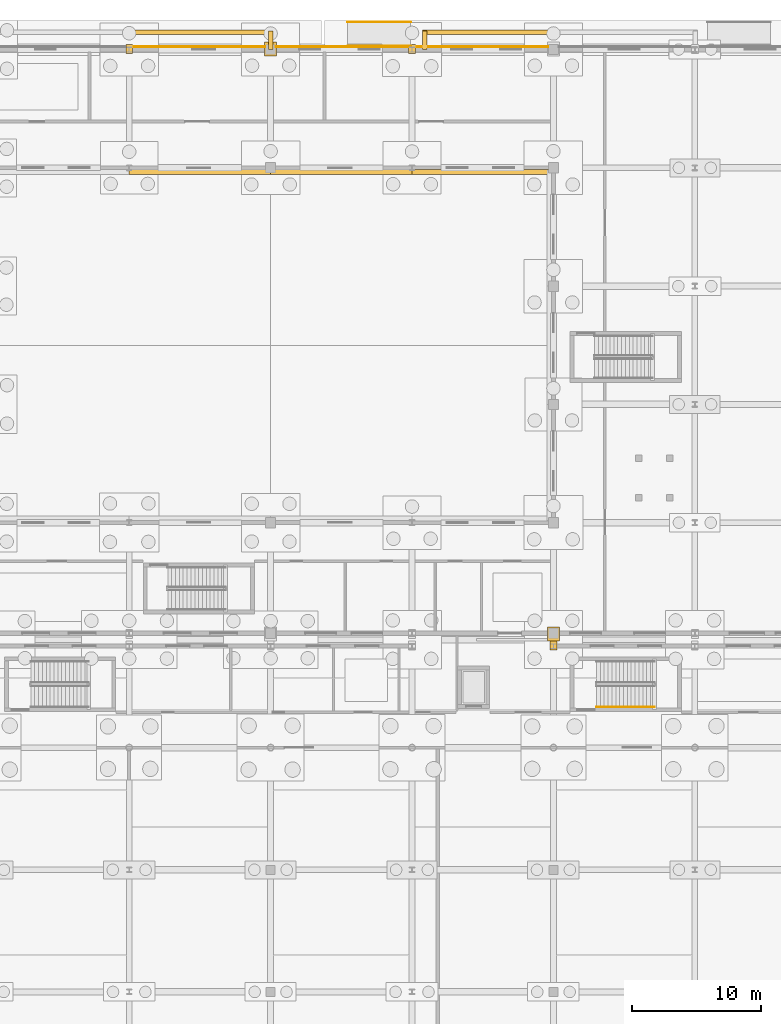
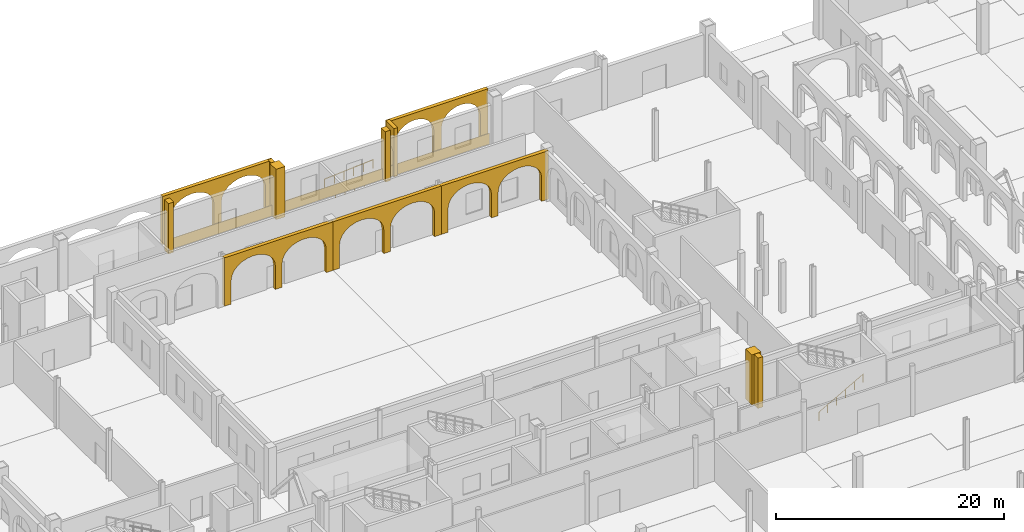
# One storey, part 72 of 83: 15 coverings, 3 railings.
"""IFC4 building model written with IfcOpenShell, lengths in metres."""

import ifcopenshell
import ifcopenshell.guid

model = None  # the IFC model being written
_history = None  # IfcOwnerHistory: only IFC2X3 demands one
_inside = {}  # id of a spatial element -> (the spatial element, [elements in it])
_under = {}  # id of a project, library or spatial element -> (it, [spatial elements below it])
_declared = {}  # id of a project -> (the project, [libraries it declares])
_typed = {}  # id of a type object -> (the type object, [elements of that type])
_made_of = {}  # id of a material, layer set ... -> (it, [elements and type objects made of it])


def new_model(schema):
    """Start an empty IFC model of exactly this schema.

    Asked for "IFC4X3", IfcOpenShell would pick the latest addendum, in which some entities
    have other attributes; the version numbers below select the first issue.
    IFC2X3 requires an IfcOwnerHistory on every rooted entity: one is made here for all.
    """
    global model, _history
    if schema == "IFC4X3":
        model = ifcopenshell.file(schema_version=(4, 3, 0, 0))
    else:
        model = ifcopenshell.file(schema=schema)
    _inside.clear()
    _under.clear()
    _declared.clear()
    _typed.clear()
    _made_of.clear()
    _history = None
    if model.schema == "IFC2X3":
        org = make("IfcOrganization", Name="unknown")
        user = make(
            "IfcPersonAndOrganization",
            ThePerson=make("IfcPerson", FamilyName="unknown"),
            TheOrganization=org,
        )
        app = make(
            "IfcApplication",
            ApplicationDeveloper=org,
            Version="unknown",
            ApplicationFullName="unknown",
            ApplicationIdentifier="unknown",
        )
        _history = make(
            "IfcOwnerHistory",
            OwningUser=user,
            OwningApplication=app,
            ChangeAction="ADDED",
            CreationDate=0,
        )
    return model


def make(cls, **values):
    """One entity of the class cls with the attributes given. An attribute that is None is left unset."""
    return model.create_entity(
        cls, **{name: value for name, value in values.items() if value is not None}
    )


def rooted(cls, **values):
    """An entity with a GlobalId (a new one), such as an element, a storey or a relation."""
    return make(cls, GlobalId=ifcopenshell.guid.new(), OwnerHistory=_history, **values)


def si_unit(unit_type, name, prefix=None):
    """IfcSIUnit, for example si_unit("LENGTHUNIT", "METRE", prefix="MILLI")."""
    return make("IfcSIUnit", UnitType=unit_type, Prefix=prefix, Name=name)


def assignment(units):
    """IfcUnitAssignment: the units of a project."""
    return None if units is None else make("IfcUnitAssignment", Units=units)


def point(xyz):
    """IfcCartesianPoint."""
    return None if xyz is None else make("IfcCartesianPoint", Coordinates=xyz)


def direction(xyz):
    """IfcDirection."""
    return None if xyz is None else make("IfcDirection", DirectionRatios=xyz)


def frame(location, z_axis=None, x_axis=None):
    """IfcAxis2Placement3D, a coordinate frame: its origin and axes. An axis left out is left unset."""
    return make(
        "IfcAxis2Placement3D",
        Location=point(location),
        Axis=direction(z_axis),
        RefDirection=direction(x_axis),
    )


def frame_2d(location, x_axis=None):
    """IfcAxis2Placement2D, a coordinate frame in the plane: its origin and x axis."""
    return make(
        "IfcAxis2Placement2D", Location=point(location), RefDirection=direction(x_axis)
    )


def origin():
    """The frame at (0, 0, 0) with its axes left unset."""
    return frame((0.0, 0.0, 0.0))


def origin_2d():
    """The frame at (0, 0) in the plane with its x axis left unset."""
    return frame_2d((0.0, 0.0))


def place(relative_to, where):
    """IfcLocalPlacement: puts the frame where relative to a parent placement (None: the world)."""
    return make(
        "IfcLocalPlacement", PlacementRelTo=relative_to, RelativePlacement=where
    )


def context(
    kind, dimensions, precision=None, world=None, true_north=None, identifier=None
):
    """IfcGeometricRepresentationContext, for example the 3D "Model" context."""
    return make(
        "IfcGeometricRepresentationContext",
        ContextIdentifier=identifier,
        ContextType=kind,
        CoordinateSpaceDimension=dimensions,
        Precision=precision,
        WorldCoordinateSystem=world,
        TrueNorth=true_north,
    )


def subcontext(parent, identifier, kind, view, scale=None):
    """IfcGeometricRepresentationSubContext, for example "Body" below "Model"."""
    return make(
        "IfcGeometricRepresentationSubContext",
        ContextIdentifier=identifier,
        ContextType=kind,
        ParentContext=parent,
        TargetScale=scale,
        TargetView=view,
    )


def project(units=None, contexts=None):
    """IfcProject with its units and contexts."""
    return rooted(
        "IfcProject",
        Name="project",
        RepresentationContexts=contexts,
        UnitsInContext=assignment(units),
    )


def spatial(cls, under=None, at=None, **own):
    """A site, building, storey or space (cls), placed at a placement, below another one or the project."""
    s = rooted(cls, ObjectPlacement=at, **own)
    if under is not None:
        _under.setdefault(under.id(), (under, []))[1].append(s)
    return s


def polyline(points):
    """IfcPolyline through the points."""
    return make("IfcPolyline", Points=[point(p) for p in points])


def profile(cls, at=None, kind="AREA", **sizes):
    """A parametric profile (cls). Its sizes go by their IFC names, for example OverallWidth=200.0."""
    return make(cls, ProfileType=kind, Position=at, **sizes)


def rectangle(**sizes):
    """IfcRectangleProfileDef."""
    return profile("IfcRectangleProfileDef", **sizes)


def circle(**sizes):
    """IfcCircleProfileDef."""
    return profile("IfcCircleProfileDef", **sizes)


def outline(outer, holes=None, kind="AREA"):
    """IfcArbitraryClosedProfileDef: a profile drawn as a closed curve; with holes, ...WithVoids."""
    if holes is None:
        return make("IfcArbitraryClosedProfileDef", ProfileType=kind, OuterCurve=outer)
    return make(
        "IfcArbitraryProfileDefWithVoids",
        ProfileType=kind,
        OuterCurve=outer,
        InnerCurves=holes,
    )


def extrude(swept, where, along, depth):
    """IfcExtrudedAreaSolid: the profile swept, set in the frame where, extruded along a direction by depth."""
    return make(
        "IfcExtrudedAreaSolid",
        SweptArea=swept,
        Position=where,
        ExtrudedDirection=direction(along),
        Depth=depth,
    )


def shape(context_of_items, identifier, shape_type, items):
    """IfcShapeRepresentation: the items that make up one representation, for example the "Body"."""
    return make(
        "IfcShapeRepresentation",
        ContextOfItems=context_of_items,
        RepresentationIdentifier=identifier,
        RepresentationType=shape_type,
        Items=items,
    )


def material(Name=None, Category=None):
    """IfcMaterial."""
    return make("IfcMaterial", Name=Name, Category=Category)


def layer(
    of_material, thickness, ventilated=None, Name=None, Category=None, Priority=None
):
    """IfcMaterialLayer: one layer of a wall or slab, of a material (None: an air gap)."""
    return make(
        "IfcMaterialLayer",
        Material=of_material,
        LayerThickness=thickness,
        IsVentilated=ventilated,
        Name=Name,
        Category=Category,
        Priority=Priority,
    )


def layer_set(layers, Name=None):
    """IfcMaterialLayerSet."""
    return make("IfcMaterialLayerSet", MaterialLayers=layers, LayerSetName=Name)


def made_of(thing, what):
    """Note that an element or type object is made of a material, layer set ...; save() writes the relation."""
    if what is not None:
        _made_of.setdefault(what.id(), (what, []))[1].append(thing)
    return thing


def type_object(cls, material=None, **own):
    """A type object (cls), such as IfcWallType, which elements share."""
    return made_of(rooted(cls, **own), material)


def element(
    cls,
    number,
    at=None,
    inside=None,
    cuts=None,
    type_object=None,
    material=None,
    context=None,
    identifier="Body",
    shape_type=None,
    held_by="IfcProductDefinitionShape",
    body=None,
    shapes=None,
    **own,
):
    """One element of the class cls, such as IfcWall. Its Tag is "e" and its number.

    at: its placement. inside: the storey or other place that contains it. cuts: it is an
    opening in that element (IfcRelVoidsElement). A single representation is given by context,
    identifier, shape_type and body (its items); several are given by shapes. held_by: the class
    of the entity that holds the representations. save() writes the other relations.
    """
    e = rooted(cls, Tag="e%d" % number, ObjectPlacement=at, **own)
    if body is not None:
        shapes = [shape(context, identifier, shape_type, body)]
    if shapes is not None:
        e.Representation = make(held_by, Representations=shapes)
    if inside is not None:
        _inside.setdefault(inside.id(), (inside, []))[1].append(e)
    if cuts is not None:
        rooted(
            "IfcRelVoidsElement", RelatingBuildingElement=cuts, RelatedOpeningElement=e
        )
    if type_object is not None:
        _typed.setdefault(type_object.id(), (type_object, []))[1].append(e)
    return made_of(e, material)


def aggregate(whole, parts):
    """IfcRelAggregates: a whole, such as a stair, and the parts it consists of."""
    return rooted("IfcRelAggregates", RelatingObject=whole, RelatedObjects=parts)


def save(model, path):
    """Write the relations noted so far, then the file.

    IfcRelAggregates (storeys below a building ...), IfcRelContainedInSpatialStructure (elements
    in a storey), IfcRelDefinesByType, IfcRelAssociatesMaterial and IfcRelDeclares: one each for
    every whole, place, type object, material and project.
    """
    for whole, parts in _under.values():
        aggregate(whole, parts)
    for where, things in _inside.values():
        rooted(
            "IfcRelContainedInSpatialStructure",
            RelatedElements=things,
            RelatingStructure=where,
        )
    for kind, things in _typed.values():
        rooted("IfcRelDefinesByType", RelatedObjects=things, RelatingType=kind)
    for what, things in _made_of.values():
        rooted("IfcRelAssociatesMaterial", RelatedObjects=things, RelatingMaterial=what)
    for by, libraries in _declared.values():
        rooted("IfcRelDeclares", RelatingContext=by, RelatedDefinitions=libraries)
    model.write(path)


model = new_model("IFC4")

# Units and contexts
model_context = context("Model", 3, precision=1e-05, world=origin(), true_north=direction((0.0, 1.0)))
body_context = subcontext(model_context, "Body", "Model", "MODEL_VIEW")
ifc_project = project(units=[si_unit("LENGTHUNIT", "METRE"), si_unit("AREAUNIT", "SQUARE_METRE"), si_unit("VOLUMEUNIT", "CUBIC_METRE"), si_unit("PLANEANGLEUNIT", "RADIAN"), si_unit("MASSUNIT", "GRAM", prefix="KILO")], contexts=[model_context])

# Site, building, storey
site_placement = place(None, origin())
site = spatial("IfcSite", under=ifc_project, at=site_placement, CompositionType="ELEMENT")
building_placement = place(site_placement, origin())
building = spatial("IfcBuilding", under=site, at=building_placement, Name="Caurita Quay Ferry Terminal", CompositionType="ELEMENT")
storey_placement = place(building_placement, origin())
storey = spatial("IfcBuildingStorey", under=building, at=storey_placement, Name="L00", CompositionType="ELEMENT", Elevation=0.0)

# Coverings
ifc_material_1 = material(Name="Warm-white lime stucco masonry", Category="masonry")
ifc_layer_1 = layer(ifc_material_1, 0.360107421875, Name="Spanish Colonial semicircular lime-stucco portales arcade 360 mm")
ifc_layer_set_1 = layer_set([ifc_layer_1], Name="Warm-white lime stucco masonry")
covering_type_1 = type_object("IfcCoveringType", Name="COV-ARC-CLD", PredefinedType="CLADDING", material=ifc_layer_set_1)
covering_1_placement = place(storey_placement, frame((44.199951171875, 118.35009765625, 0.0), z_axis=(0.0, 0.0, 1.0), x_axis=(-1.0, 0.0, 0.0)))
element("IfcCovering", 1, at=covering_1_placement, inside=storey, type_object=covering_type_1, Name="North Street Portales Colonnade 004", PredefinedType="CLADDING", context=body_context, shape_type="SweptSolid", body=[
    extrude(outline(polyline([(0.0, 0.0), (0.75, 0.0), (0.75, 2.550048828125), (0.826171875, 3.041748046875), (1.0498046875, 3.5), (1.4052734375, 3.8935546875), (1.86865234375, 4.195556640625), (2.408447265625, 4.38525390625), (2.987548828125, 4.449951171875), (3.566650390625, 4.38525390625), (4.106201171875, 4.195556640625), (4.569580078125, 3.8935546875), (4.92529296875, 3.5), (5.148681640625, 3.041748046875), (5.22509765625, 2.550048828125), (5.22509765625, 0.0), (5.97509765625, 0.0), (5.97509765625, 2.550048828125), (6.05126953125, 3.041748046875), (6.274658203125, 3.5), (6.63037109375, 3.8935546875), (7.09375, 4.195556640625), (7.63330078125, 4.38525390625), (8.21240234375, 4.449951171875), (8.79150390625, 4.38525390625), (9.331298828125, 4.195556640625), (9.794677734375, 3.8935546875), (10.150146484375, 3.5), (10.373779296875, 3.041748046875), (10.449951171875, 2.550048828125), (10.449951171875, 0.0), (11.199951171875, 0.0), (11.199951171875, 5.179931640625), (0.0, 5.179931640625), (0.0, 0.0)])), frame((0.0, 0.18017578125, 0.0), z_axis=(0.0, -1.0, 0.0), x_axis=(1.0, 0.0, 0.0)), (0.0, 0.0, 1.0), 0.360107421875),
])
covering_2_placement = place(storey_placement, frame((66.0, 118.35009765625, 0.0), z_axis=(0.0, 0.0, 1.0), x_axis=(-1.0, 0.0, 0.0)))
element("IfcCovering", 2, at=covering_2_placement, inside=storey, type_object=covering_type_1, Name="North Street Portales Colonnade 005", PredefinedType="CLADDING", context=body_context, shape_type="SweptSolid", body=[
    extrude(outline(polyline([(0.0, 0.0), (0.75, 0.0), (0.75, 2.550048828125), (0.817626953125, 3.041748046875), (1.016357421875, 3.5), (1.33203125, 3.8935546875), (1.74365234375, 4.195556640625), (2.22314453125, 4.38525390625), (2.737548828125, 4.449951171875), (3.251953125, 4.38525390625), (3.731201171875, 4.195556640625), (4.142822265625, 3.8935546875), (4.458740234375, 3.5), (4.6572265625, 3.041748046875), (4.72509765625, 2.550048828125), (4.72509765625, 0.0), (5.47509765625, 0.0), (5.47509765625, 2.550048828125), (5.542724609375, 3.041748046875), (5.7412109375, 3.5), (6.05712890625, 3.8935546875), (6.46875, 4.195556640625), (6.947998046875, 4.38525390625), (7.46240234375, 4.449951171875), (7.976806640625, 4.38525390625), (8.456298828125, 4.195556640625), (8.867919921875, 3.8935546875), (9.18359375, 3.5), (9.38232421875, 3.041748046875), (9.449951171875, 2.550048828125), (9.449951171875, 0.0), (10.199951171875, 0.0), (10.199951171875, 5.179931640625), (0.0, 5.179931640625), (0.0, 0.0)])), frame((0.0, 0.18017578125, 0.0), z_axis=(0.0, -1.0, 0.0), x_axis=(1.0, 0.0, 0.0)), (0.0, 0.0, 1.0), 0.360107421875),
])
for number, where, z_axis, x_axis, name in (
    (3, (44.02001953125, 117.0, 0.0), (0.0, 0.0, 1.0), (0.0, 1.0, 0.0), "North Portales End Arch 008"),
    (4, (55.97998046875, 117.0, 0.0), (0.0, 0.0, 1.0), (0.0, 1.0, 0.0), "North Portales End Arch 009"),
):
    element("IfcCovering", number, at=place(storey_placement, frame(where, z_axis=z_axis, x_axis=x_axis)), inside=storey, type_object=covering_type_1, Name=name, PredefinedType="CLADDING", context=body_context, shape_type="SweptSolid", body=[
        extrude(outline(polyline([(0.0, 0.0), (0.219970703125, 0.0), (0.219970703125, 2.550048828125), (0.2373046875, 2.66650390625), (0.28759765625, 2.77490234375), (0.367919921875, 2.8681640625), (0.472412109375, 2.939697265625), (0.59423828125, 2.984619140625), (0.72509765625, 3.0), (0.855712890625, 2.984619140625), (0.9775390625, 2.939697265625), (1.08203125, 2.8681640625), (1.162353515625, 2.77490234375), (1.212646484375, 2.66650390625), (1.22998046875, 2.550048828125), (1.22998046875, 0.0), (1.449951171875, 0.0), (1.449951171875, 5.179931640625), (0.0, 5.179931640625), (0.0, 0.0)])), frame((0.0, 0.18017578125, 0.0), z_axis=(0.0, -1.0, 0.0), x_axis=(1.0, 0.0, 0.0)), (0.0, 0.0, 1.0), 0.360107421875),
    ])
for number, where, z_axis, x_axis, name in (
    (5, (44.0, 107.47998046875, 0.0), (0.0, 0.0, 1.0), (-1.0, 0.0, 0.0), "L00 Courtyard North Cloister Arcade 042"),
    (6, (55.0, 107.47998046875, 0.0), (0.0, 0.0, 1.0), (-1.0, 0.0, 0.0), "L00 Courtyard North Cloister Arcade 044"),
):
    element("IfcCovering", number, at=place(storey_placement, frame(where, z_axis=z_axis, x_axis=x_axis)), inside=storey, type_object=covering_type_1, Name=name, PredefinedType="CLADDING", context=body_context, shape_type="SweptSolid", body=[
        extrude(outline(polyline([(0.0, 0.0), (0.679931640625, 0.0), (0.679931640625, 2.550048828125), (0.75634765625, 3.02880859375), (0.980224609375, 3.47509765625), (1.336181640625, 3.858154296875), (1.800048828125, 4.152099609375), (2.34033203125, 4.3369140625), (2.919921875, 4.39990234375), (3.499755859375, 4.3369140625), (4.0400390625, 4.152099609375), (4.50390625, 3.858154296875), (4.85986328125, 3.47509765625), (5.083740234375, 3.02880859375), (5.159912109375, 2.550048828125), (5.159912109375, 0.0), (5.840087890625, 0.0), (5.840087890625, 2.550048828125), (5.916259765625, 3.02880859375), (6.14013671875, 3.47509765625), (6.49609375, 3.858154296875), (6.9599609375, 4.152099609375), (7.500244140625, 4.3369140625), (8.080078125, 4.39990234375), (8.65966796875, 4.3369140625), (9.199951171875, 4.152099609375), (9.663818359375, 3.858154296875), (10.019775390625, 3.47509765625), (10.24365234375, 3.02880859375), (10.320068359375, 2.550048828125), (10.320068359375, 0.0), (11.0, 0.0), (11.0, 5.199951171875), (0.0, 5.199951171875), (0.0, 0.0)])), frame((0.0, 0.18017578125, 0.0), z_axis=(0.0, -1.0, 0.0), x_axis=(1.0, 0.0, 0.0)), (0.0, 0.0, 1.0), 0.360107421875),
    ])
covering_3_placement = place(storey_placement, frame((65.85009765625, 107.47998046875, 0.0), z_axis=(0.0, 0.0, 1.0), x_axis=(-1.0, 0.0, 0.0)))
element("IfcCovering", 7, at=covering_3_placement, inside=storey, type_object=covering_type_1, Name="L00 Courtyard North Cloister Arcade 046", PredefinedType="CLADDING", context=body_context, shape_type="SweptSolid", body=[
    extrude(outline(polyline([(0.0, 0.0), (0.679931640625, 0.0), (0.679931640625, 2.550048828125), (0.755126953125, 3.02880859375), (0.97509765625, 3.47509765625), (1.3251953125, 3.858154296875), (1.78125, 4.152099609375), (2.3125, 4.3369140625), (2.882568359375, 4.39990234375), (3.45263671875, 4.3369140625), (3.98388671875, 4.152099609375), (4.43994140625, 3.858154296875), (4.7900390625, 3.47509765625), (5.010009765625, 3.02880859375), (5.0849609375, 2.550048828125), (5.0849609375, 0.0), (5.76513671875, 0.0), (5.76513671875, 2.550048828125), (5.840087890625, 3.02880859375), (6.06005859375, 3.47509765625), (6.41015625, 3.858154296875), (6.8662109375, 4.152099609375), (7.3974609375, 4.3369140625), (7.967529296875, 4.39990234375), (8.53759765625, 4.3369140625), (9.06884765625, 4.152099609375), (9.52490234375, 3.858154296875), (9.875, 3.47509765625), (10.094970703125, 3.02880859375), (10.170166015625, 2.550048828125), (10.170166015625, 0.0), (10.85009765625, 0.0), (10.85009765625, 5.199951171875), (0.0, 5.199951171875), (0.0, 0.0)])), frame((0.0, 0.18017578125, 0.0), z_axis=(0.0, -1.0, 0.0), x_axis=(1.0, 0.0, 0.0)), (0.0, 0.0, 1.0), 0.360107421875),
])
ifc_material_2 = material(Name="Coral stone ashlar cladding", Category="masonry")
ifc_layer_2 = layer(ifc_material_2, 0.054931640625, Name="Rusticated coral-stone basamento plinth cladding 55 mm")
ifc_layer_set_2 = layer_set([ifc_layer_2], Name="Coral stone ashlar cladding")
covering_type_2 = type_object("IfcCoveringType", Name="COV-CORAL-CLD", PredefinedType="CLADDING", material=ifc_layer_set_2)
for number, where, z_axis, x_axis, name in (
    (8, (43.60205078125, 117.215087890625, 0.0), (0.0, 0.0, 1.0), (-1.0, 0.0, 0.0), "Coral-Stone Basamento Cladding 004"),
    (9, (54.984130859375, 117.215087890625, 0.0), (0.0, 0.0, 1.0), (-1.0, 0.0, 0.0), "Coral-Stone Basamento Cladding 005"),
    (10, (65.60205078125, 117.215087890625, 0.0), (0.0, 0.0, 1.0), (-1.0, 0.0, 0.0), "Coral-Stone Basamento Cladding 006"),
):
    element("IfcCovering", number, at=place(storey_placement, frame(where, z_axis=z_axis, x_axis=x_axis)), inside=storey, type_object=covering_type_2, Name=name, PredefinedType="CLADDING", context=body_context, shape_type="SweptSolid", body=[
        extrude(rectangle(XDim=10.586181640625, YDim=0.054931640625, at=frame_2d((5.29296875, 0.0))), origin(), (0.0, 0.0, 1.0), 1.14990234375),
    ])
ifc_layer_3 = layer(ifc_material_1, 0.179931640625, Name="Classical engaged lime-stucco facade pilaster cladding 180 mm")
ifc_layer_set_3 = layer_set([ifc_layer_3], Name="Warm-white lime stucco masonry")
covering_type_3 = type_object("IfcCoveringType", Name="COV-PIL-CLD", PredefinedType="CLADDING", material=ifc_layer_set_3)
covering_4_placement = place(storey_placement, frame((66.0, 70.64990234375, 0.0), z_axis=(0.0, 0.0, 1.0), x_axis=(1.0, 0.0, 0.0)))
element("IfcCovering", 11, at=covering_4_placement, inside=storey, type_object=covering_type_3, Name="L00 Classical Engaged Pilaster 0058", PredefinedType="CLADDING", context=body_context, shape_type="SweptSolid", body=[
    extrude(rectangle(XDim=0.518798828125, YDim=0.673583984375, at=origin_2d()), origin(), (0.0, 0.0, 1.0), 5.39990234375),
])
covering_5_placement = place(storey_placement, frame((33.0, 117.050048828125, 0.0), z_axis=(0.0, 0.0, 1.0), x_axis=(1.0, 0.0, 0.0)))
element("IfcCovering", 12, at=covering_5_placement, inside=storey, type_object=covering_type_3, Name="L00 Classical Engaged Pilaster 0338", PredefinedType="CLADDING", context=body_context, shape_type="SweptSolid", body=[
    extrude(rectangle(XDim=0.531005859375, YDim=0.714111328125, at=origin_2d()), origin(), (0.0, 0.0, 1.0), 5.39990234375),
])
covering_6_placement = place(storey_placement, frame((44.0, 117.050048828125, 0.0), z_axis=(0.0, 0.0, 1.0), x_axis=(1.0, 0.0, 0.0)))
element("IfcCovering", 13, at=covering_6_placement, inside=storey, type_object=covering_type_3, Name="L00 Classical Engaged Pilaster 0352", PredefinedType="CLADDING", context=body_context, shape_type="SweptSolid", body=[
    extrude(rectangle(XDim=0.919921875, YDim=1.080078125, at=origin_2d()), origin(), (0.0, 0.0, 1.0), 5.39990234375),
])
covering_7_placement = place(storey_placement, frame((55.0, 117.050048828125, 0.0), z_axis=(0.0, 0.0, 1.0), x_axis=(1.0, 0.0, 0.0)))
element("IfcCovering", 14, at=covering_7_placement, inside=storey, type_object=covering_type_3, Name="L00 Classical Engaged Pilaster 0364", PredefinedType="CLADDING", context=body_context, shape_type="SweptSolid", body=[
    extrude(rectangle(XDim=0.531005859375, YDim=0.714111328125, at=origin_2d()), origin(), (0.0, 0.0, 1.0), 5.39990234375),
])
covering_8_placement = place(storey_placement, frame((66.0, 71.550048828125, 0.0), z_axis=(0.0, 0.0, 1.0), x_axis=(1.0, 0.0, 0.0)))
element("IfcCovering", 15, at=covering_8_placement, inside=storey, type_object=covering_type_3, Name="L00 Classical Engaged Pilaster 0368", PredefinedType="CLADDING", context=body_context, shape_type="SweptSolid", body=[
    extrude(rectangle(XDim=0.919921875, YDim=1.080078125, at=origin_2d()), origin(), (0.0, 0.0, 1.0), 5.39990234375),
])

# Railings
ifc_material_3 = material(Name="Bronze architectural metalwork", Category="metal")
railing_type = type_object("IfcRailingType", Name="RL-HND-090", PredefinedType="HANDRAIL", material=ifc_material_3)
railing_placement = place(storey_placement, frame((69.35009765625, 65.85009765625, 0.168701171875)))
element("IfcRailing", 16, at=railing_placement, inside=storey, type_object=railing_type, Name="L00 ST-07 stair handrail 1", PredefinedType="HANDRAIL", context=body_context, shape_type="SweptSolid", body=[
    extrude(circle(Radius=0.02392578125, at=origin_2d()), frame((0.0, 0.0, 0.8759765625), z_axis=(0.871575537125, 0.0, 0.490261239633), x_axis=(0.0, 1.0, 0.0)), (0.0, 0.0, 1.0), 5.1630859375),
    extrude(circle(Radius=0.02099609375, at=origin_2d()), origin(), (0.0, 0.0, 1.0), 0.851806640625),
    extrude(circle(Radius=0.02099609375, at=origin_2d()), frame((0.89990234375, 0.0, 0.50634765625)), (0.0, 0.0, 1.0), 0.851806640625),
    extrude(circle(Radius=0.02099609375, at=origin_2d()), frame((1.800048828125, 0.0, 1.012451171875)), (0.0, 0.0, 1.0), 0.851806640625),
    extrude(circle(Radius=0.02099609375, at=origin_2d()), frame((2.699951171875, 0.0, 1.518798828125)), (0.0, 0.0, 1.0), 0.851806640625),
    extrude(circle(Radius=0.02099609375, at=origin_2d()), frame((3.60009765625, 0.0, 2.02490234375)), (0.0, 0.0, 1.0), 0.851806640625),
    extrude(circle(Radius=0.02099609375, at=origin_2d()), frame((4.5, 0.0, 2.53125)), (0.0, 0.0, 1.0), 0.851806640625),
])
for number, where, name in (
    (17, (50.0, 117.260009765625, -0.35009765625), "Forecourt West Accessible Entry Ramp Handrail 1"),
    (18, (50.0, 119.139892578125, -0.35009765625), "Forecourt West Accessible Entry Ramp Handrail 2"),
):
    element("IfcRailing", number, at=place(storey_placement, frame(where)), inside=storey, type_object=railing_type, Name=name, PredefinedType="HANDRAIL", context=body_context, shape_type="SweptSolid", body=[
        extrude(circle(Radius=0.02392578125, at=origin_2d()), frame((0.0, 0.0, 0.8759765625), z_axis=(0.997457185933, 0.0, 0.071268241387), x_axis=(0.0, 1.0, 0.0)), (0.0, 0.0, 1.0), 4.912353515625),
        extrude(circle(Radius=0.02099609375, at=origin_2d()), origin(), (0.0, 0.0, 1.0), 0.851806640625),
        extrude(circle(Radius=0.02099609375, at=origin_2d()), frame((0.97998046875, 0.0, 0.070068359375)), (0.0, 0.0, 1.0), 0.851806640625),
        extrude(circle(Radius=0.02099609375, at=origin_2d()), frame((1.9599609375, 0.0, 0.14013671875)), (0.0, 0.0, 1.0), 0.851806640625),
        extrude(circle(Radius=0.02099609375, at=origin_2d()), frame((2.93994140625, 0.0, 0.2099609375)), (0.0, 0.0, 1.0), 0.851806640625),
        extrude(circle(Radius=0.02099609375, at=origin_2d()), frame((3.919921875, 0.0, 0.280029296875)), (0.0, 0.0, 1.0), 0.851806640625),
        extrude(circle(Radius=0.02099609375, at=origin_2d()), frame((4.89990234375, 0.0, 0.35009765625)), (0.0, 0.0, 1.0), 0.851806640625),
    ])

save(model, "model.ifc")
